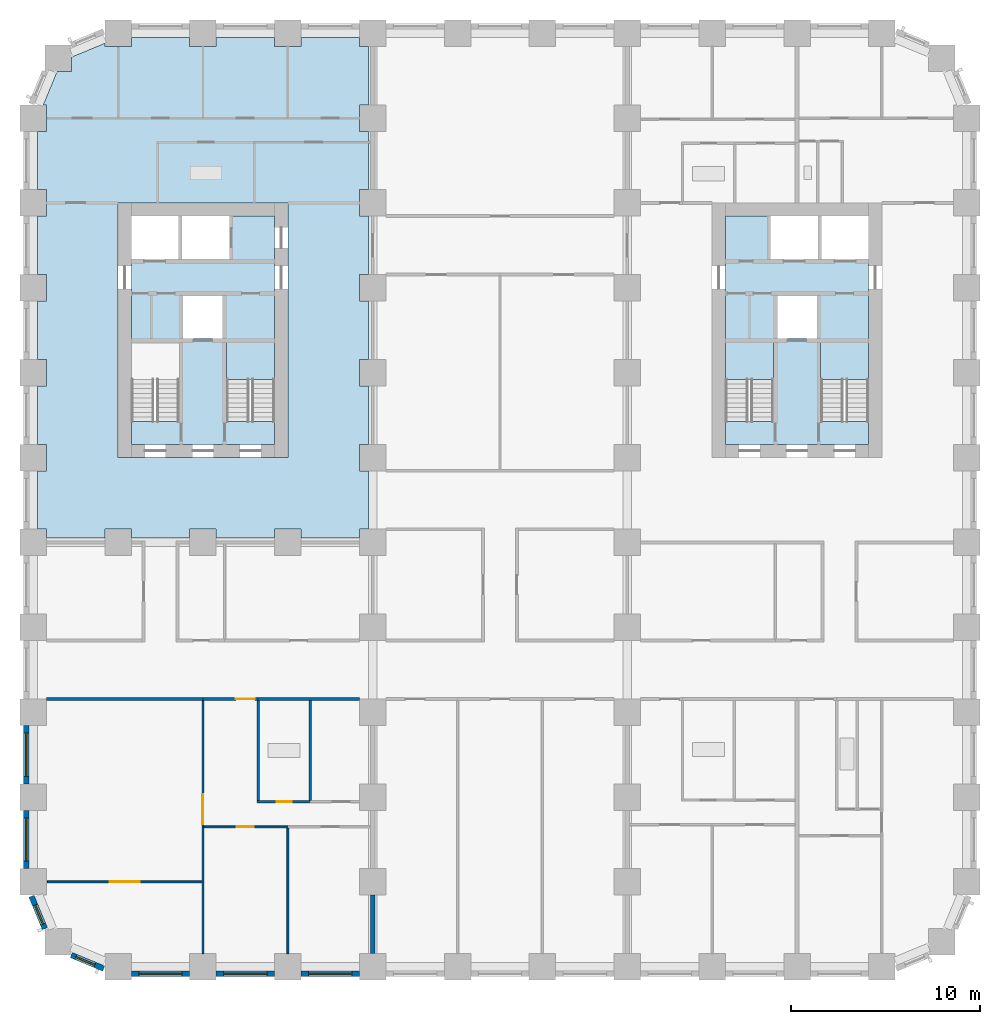
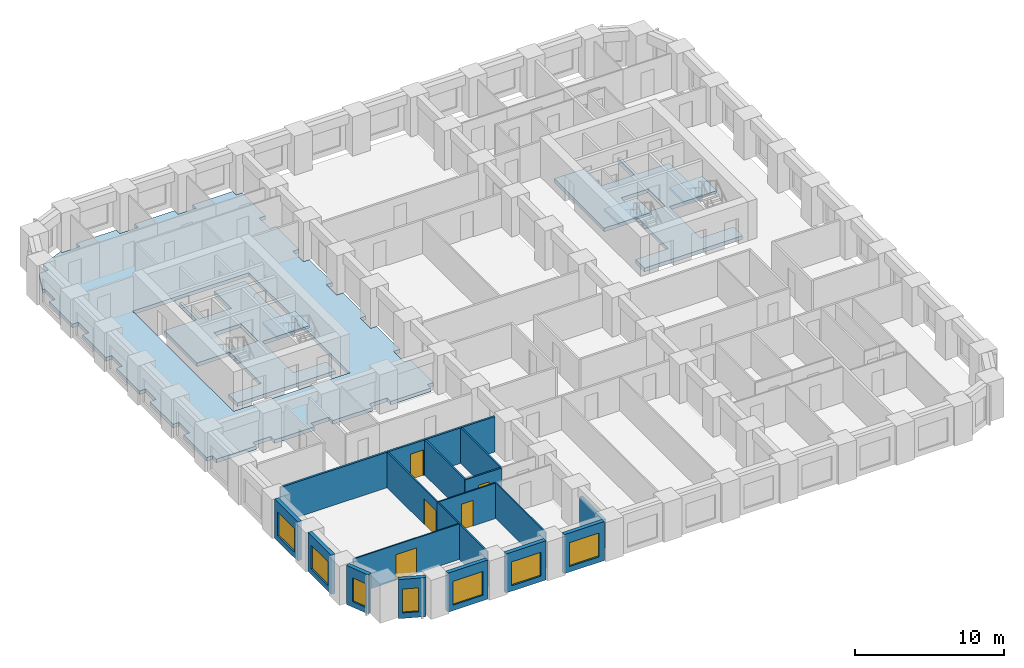
# One storey, part 2 of 12: 19 walls, 7 windows, 6 slabs, 5 doors, 12 openings, 3 elements without a shape of their own.
"""IFC4 building model written with IfcOpenShell, lengths in metres."""

from ifc_helpers import new_model, si_unit, direction, frame, frame_2d, origin, place, context, subcontext, project, spatial, polyline, rectangle, outline, extrude, material, layer, layer_set, type_object, element, fill, aggregate, save


model = new_model("IFC4")

# Units and contexts
model_context = context("Model", 3, precision=1e-05, world=origin(), true_north=direction((0.0, 1.0)))
body_context = subcontext(model_context, "Body", "Model", "MODEL_VIEW")
ifc_project = project(units=[si_unit("LENGTHUNIT", "METRE"), si_unit("AREAUNIT", "SQUARE_METRE"), si_unit("VOLUMEUNIT", "CUBIC_METRE"), si_unit("PLANEANGLEUNIT", "RADIAN"), si_unit("MASSUNIT", "GRAM", prefix="KILO")], contexts=[model_context])

# Site, building, storey
site_placement = place(None, origin())
site = spatial("IfcSite", under=ifc_project, at=site_placement, CompositionType="ELEMENT")
building_placement = place(site_placement, origin())
building = spatial("IfcBuilding", under=site, at=building_placement, Name="Girih Gate Residences", CompositionType="ELEMENT")
storey_placement = place(building_placement, frame((0.0, 0.0, 33.60009765625)))
storey = spatial("IfcBuildingStorey", under=building, at=storey_placement, Name="L07", CompositionType="ELEMENT", Elevation=33.60009765625)

# Slabs
ifc_material_1 = material(Name="Concrete C40/50", Category="concrete")
ifc_layer_1 = layer(ifc_material_1, 0.300048828125)
ifc_layer_set_1 = layer_set([ifc_layer_1], Name="Core floor slab 300")
slab_type_1 = type_object("IfcSlabType", Name="Core floor slab 300", PredefinedType="FLOOR", material=ifc_layer_set_1)
slab_1_placement = place(storey_placement, frame((0.0, 0.0, -0.300048828125)))
element("IfcSlab", 1, at=slab_1_placement, inside=storey, type_object=slab_type_1, Name="L07 W core floor", PredefinedType="FLOOR", context=body_context, shape_type="SweptSolid", body=[
    extrude(outline(polyline([(12.800048828125, 27.699951171875), (5.199951171875, 27.699951171875), (5.199951171875, 28.900634765625), (7.75, 28.900634765625), (7.75, 33.10009765625), (5.199951171875, 33.10009765625), (5.199951171875, 37.5), (7.699951171875, 37.5), (7.699951171875, 39.800048828125), (7.89990234375, 39.800048828125), (7.89990234375, 37.5), (10.39990234375, 37.5), (10.39990234375, 39.800048828125), (12.800048828125, 39.800048828125), (12.800048828125, 33.10009765625), (10.25, 33.10009765625), (10.25, 28.900634765625), (12.800048828125, 28.900634765625), (12.800048828125, 27.699951171875)]), holes=[polyline([(7.949951171875, 33.300048828125), (10.050048828125, 33.300048828125), (10.050048828125, 35.60009765625), (7.949951171875, 35.60009765625), (7.949951171875, 33.300048828125)])]), origin(), (0.0, 0.0, 1.0), 0.300048828125),
])
slab_2_placement = place(storey_placement, frame((0.0, 0.0, -0.300048828125)))
element("IfcSlab", 2, at=slab_2_placement, inside=storey, type_object=slab_type_1, Name="L07 E core floor", PredefinedType="FLOOR", context=body_context, shape_type="SweptSolid", body=[
    extrude(outline(polyline([(44.300048828125, 27.699951171875), (36.699951171875, 27.699951171875), (36.699951171875, 28.900634765625), (39.25, 28.900634765625), (39.25, 33.10009765625), (36.699951171875, 33.10009765625), (36.699951171875, 39.800048828125), (39.10009765625, 39.800048828125), (39.10009765625, 37.5), (41.60009765625, 37.5), (41.60009765625, 39.800048828125), (41.800048828125, 39.800048828125), (41.800048828125, 37.5), (44.300048828125, 37.5), (44.300048828125, 33.10009765625), (41.75, 33.10009765625), (41.75, 28.900634765625), (44.300048828125, 28.900634765625), (44.300048828125, 27.699951171875)]), holes=[polyline([(39.449951171875, 33.300048828125), (41.550048828125, 33.300048828125), (41.550048828125, 35.60009765625), (39.449951171875, 35.60009765625), (39.449951171875, 33.300048828125)])]), origin(), (0.0, 0.0, 1.0), 0.300048828125),
])
ifc_layer_2 = layer(ifc_material_1, 0.300048828125)
ifc_layer_set_2 = layer_set([ifc_layer_2], Name="Floor slab PT 300 Concrete C40/50")
slab_type_2 = type_object("IfcSlabType", Name="Floor slab PT 300 Concrete C40/50", PredefinedType="FLOOR", material=ifc_layer_set_2)
slab_3_placement = place(storey_placement, frame((0.0, 0.0, -0.300048828125)))
element("IfcSlab", 3, at=slab_3_placement, inside=storey, type_object=slab_type_2, Name="Floor slab L07 3", PredefinedType="FLOOR", context=body_context, shape_type="SweptSolid", body=[
    extrude(outline(polyline([(0.22509765625, 26.300048828125), (0.22509765625, 23.199951171875), (0.699951171875, 23.199951171875), (0.699951171875, 22.72509765625), (3.800048828125, 22.72509765625), (3.800048828125, 23.199951171875), (5.199951171875, 23.199951171875), (5.199951171875, 22.72509765625), (8.300048828125, 22.72509765625), (8.300048828125, 23.199951171875), (9.699951171875, 23.199951171875), (9.699951171875, 22.72509765625), (12.800048828125, 22.72509765625), (12.800048828125, 23.199951171875), (14.199951171875, 23.199951171875), (14.199951171875, 22.72509765625), (17.300048828125, 22.72509765625), (17.300048828125, 23.199951171875), (17.77490234375, 23.199951171875), (17.77490234375, 26.300048828125), (17.300048828125, 26.300048828125), (17.300048828125, 27.699951171875), (17.77490234375, 27.699951171875), (17.77490234375, 30.800048828125), (17.300048828125, 30.800048828125), (17.300048828125, 32.199951171875), (17.77490234375, 32.199951171875), (17.77490234375, 35.300048828125), (17.300048828125, 35.300048828125), (17.300048828125, 36.699951171875), (17.77490234375, 36.699951171875), (17.77490234375, 39.800048828125), (17.300048828125, 39.800048828125), (17.300048828125, 41.199951171875), (17.77490234375, 41.199951171875), (17.77490234375, 44.300048828125), (17.300048828125, 44.300048828125), (17.300048828125, 45.699951171875), (17.77490234375, 45.699951171875), (17.77490234375, 48.800048828125), (17.300048828125, 48.800048828125), (17.300048828125, 49.27490234375), (14.199951171875, 49.27490234375), (14.199951171875, 48.800048828125), (12.800048828125, 48.800048828125), (12.800048828125, 49.27490234375), (9.699951171875, 49.27490234375), (9.699951171875, 48.800048828125), (8.300048828125, 48.800048828125), (8.300048828125, 49.27490234375), (5.199951171875, 49.27490234375), (5.199951171875, 48.800048828125), (3.800048828125, 48.800048828125), (3.800048828125, 48.966552734375), (2.01806640625, 48.228271484375), (2.01806640625, 47.48193359375), (1.271728515625, 47.48193359375), (0.533447265625, 45.699951171875), (0.699951171875, 45.699951171875), (0.699951171875, 44.300048828125), (0.22509765625, 44.300048828125), (0.22509765625, 41.199951171875), (0.699951171875, 41.199951171875), (0.699951171875, 39.800048828125), (0.22509765625, 39.800048828125), (0.22509765625, 36.699951171875), (0.699951171875, 36.699951171875), (0.699951171875, 35.300048828125), (0.22509765625, 35.300048828125), (0.22509765625, 32.199951171875), (0.699951171875, 32.199951171875), (0.699951171875, 30.800048828125), (0.22509765625, 30.800048828125), (0.22509765625, 27.699951171875), (0.699951171875, 27.699951171875), (0.699951171875, 26.300048828125), (0.22509765625, 26.300048828125)]), holes=[polyline([(13.5, 40.5), (13.5, 27.0), (4.5, 27.0), (4.5, 40.5), (13.5, 40.5)])]), origin(), (0.0, 0.0, 1.0), 0.300048828125),
])

# Stair, slab
stair_type = type_object("IfcStairType", Name="Exit stair", PredefinedType="HALF_TURN_STAIR", material=ifc_material_1)
stair_1_placement = place(storey_placement, origin())
stair_1 = element("IfcStair", 4, at=stair_1_placement, inside=storey, type_object=stair_type, Name="L07 Exit Stair ST-W2", PredefinedType="HALF_TURN_STAIR")
ifc_layer_3 = layer(ifc_material_1, 0.199951171875)
ifc_layer_set_3 = layer_set([ifc_layer_3], Name="Stair landing 200")
slab_type_3 = type_object("IfcSlabType", Name="Stair landing 200", PredefinedType="LANDING", material=ifc_layer_set_3)
slab_4_placement = place(storey_placement, frame((0.0, 0.0, 1.39990234375)))
slab_4 = element("IfcSlab", 5, at=slab_4_placement, type_object=slab_type_3, Name="ST-W2 landing 1", PredefinedType="LANDING", context=body_context, shape_type="SweptSolid", body=[
    extrude(outline(polyline([(12.800048828125, 31.14990234375), (12.800048828125, 33.10009765625), (10.25, 33.10009765625), (10.25, 31.14990234375), (12.800048828125, 31.14990234375)])), origin(), (0.0, 0.0, 1.0), 0.199951171875),
])
aggregate(stair_1, [slab_4])

stair_2_placement = place(storey_placement, origin())
stair_2 = element("IfcStair", 6, at=stair_2_placement, inside=storey, type_object=stair_type, Name="L07 Exit Stair ST-E1", PredefinedType="HALF_TURN_STAIR")
slab_5_placement = place(storey_placement, frame((0.0, 0.0, 1.39990234375)))
slab_5 = element("IfcSlab", 7, at=slab_5_placement, type_object=slab_type_3, Name="ST-E1 landing 1", PredefinedType="LANDING", context=body_context, shape_type="SweptSolid", body=[
    extrude(outline(polyline([(44.300048828125, 31.14990234375), (44.300048828125, 33.10009765625), (41.75, 33.10009765625), (41.75, 31.14990234375), (44.300048828125, 31.14990234375)])), origin(), (0.0, 0.0, 1.0), 0.199951171875),
])
aggregate(stair_2, [slab_5])

stair_3_placement = place(storey_placement, origin())
stair_3 = element("IfcStair", 8, at=stair_3_placement, inside=storey, type_object=stair_type, Name="L07 Exit Stair ST-E2", PredefinedType="HALF_TURN_STAIR")
slab_6_placement = place(storey_placement, frame((0.0, 0.0, 1.39990234375)))
slab_6 = element("IfcSlab", 9, at=slab_6_placement, type_object=slab_type_3, Name="ST-E2 landing 1", PredefinedType="LANDING", context=body_context, shape_type="SweptSolid", body=[
    extrude(outline(polyline([(39.25, 31.14990234375), (39.25, 33.10009765625), (36.699951171875, 33.10009765625), (36.699951171875, 31.14990234375), (39.25, 31.14990234375)])), origin(), (0.0, 0.0, 1.0), 0.199951171875),
])
aggregate(stair_3, [slab_6])

# Walls
ifc_material_2 = material(Name="Gypsum board on steel studs", Category="steel")
ifc_layer_4 = layer(ifc_material_2, 0.25)
ifc_layer_set_4 = layer_set([ifc_layer_4], Name="Acoustic separating wall 250 mm")
wall_type_1 = type_object("IfcWallType", Name="Acoustic separating wall 250 mm", PredefinedType="PARTITIONING", material=ifc_layer_set_4)
wall_1_placement = place(storey_placement, frame((18.0, 0.699951171875, 0.0), z_axis=(0.0, 0.0, 1.0), x_axis=(0.0, 1.0, 0.0)))
element("IfcWall", 10, at=wall_1_placement, inside=storey, type_object=wall_type_1, Name="L07 partition", PredefinedType="PARTITIONING", context=body_context, shape_type="SweptSolid", body=[
    extrude(rectangle(XDim=3.10009765625, YDim=0.25, at=frame_2d((1.550048828125, 0.0))), origin(), (0.0, 0.0, 1.0), 2.3798828125),
])
ifc_layer_5 = layer(ifc_material_2, 0.14990234375)
ifc_layer_set_5 = layer_set([ifc_layer_5], Name="Compartment wall 150 mm")
wall_type_2 = type_object("IfcWallType", Name="Compartment wall 150 mm", PredefinedType="PARTITIONING", material=ifc_layer_set_5)
wall_2_placement = place(storey_placement, frame((11.925048828125, 14.199951171875, 0.0), z_axis=(0.0, 0.0, 1.0), x_axis=(1.0, 0.0, 0.0)))
element("IfcWall", 11, at=wall_2_placement, inside=storey, type_object=wall_type_2, Name="L07 partition", PredefinedType="PARTITIONING", context=body_context, shape_type="SweptSolid", body=[
    extrude(rectangle(XDim=5.375, YDim=0.14990234375, at=frame_2d((2.6875, 0.0))), origin(), (0.0, 0.0, 1.0), 2.89990234375),
])
wall_3_placement = place(storey_placement, frame((0.699951171875, 14.199951171875, 0.0), z_axis=(0.0, 0.0, 1.0), x_axis=(1.0, 0.0, 0.0)))
element("IfcWall", 12, at=wall_3_placement, inside=storey, type_object=wall_type_2, Name="L07 partition", PredefinedType="PARTITIONING", context=body_context, shape_type="SweptSolid", body=[
    extrude(rectangle(XDim=8.300048828125, YDim=0.14990234375, at=frame_2d((4.14990234375, 0.0))), origin(), (0.0, 0.0, 1.0), 2.89990234375),
])

# Wall, opening, door
wall_4_placement = place(storey_placement, frame((11.925048828125, 14.199951171875, 0.0), z_axis=(0.0, 0.0, 1.0), x_axis=(-1.0, 0.0, 0.0)))
wall_4 = element("IfcWall", 13, at=wall_4_placement, inside=storey, type_object=wall_type_2, Name="L07 partition", PredefinedType="PARTITIONING", context=body_context, shape_type="SweptSolid", body=[
    extrude(rectangle(XDim=2.925048828125, YDim=0.14990234375, at=frame_2d((1.46240234375, 0.0))), origin(), (0.0, 0.0, 1.0), 2.89990234375),
])
opening_1_placement = place(wall_4_placement, frame((0.175048828125, 0.0, 0.0)))
opening_1 = element("IfcOpeningElement", 14, at=opening_1_placement, cuts=wall_4, Name="Opening A07-007", PredefinedType="OPENING", context=body_context, shape_type="SweptSolid", body=[
    extrude(rectangle(XDim=1.0, YDim=2.10009765625, at=frame_2d((0.5, 1.050048828125))), frame((0.0, 0.0849609375, 0.0), z_axis=(0.0, -1.0, 0.0), x_axis=(1.0, 0.0, 0.0)), (0.0, 0.0, 1.0), 0.169921875),
])
ifc_material_3 = material(Name="Timber, fire-rated core", Category="wood")
door_type_1 = type_object("IfcDoorType", Name="Flat entrance door 1000x2100 FD30S", OperationType="NOTDEFINED", PredefinedType="DOOR", material=ifc_material_3)
door_1_placement = place(opening_1_placement, origin())
door_1 = element("IfcDoor", 15, at=door_1_placement, inside=storey, type_object=door_type_1, Name="Door A07-007", OperationType="SINGLE_SWING_LEFT", OverallHeight=2.10009765625, OverallWidth=1.0, PredefinedType="DOOR", context=body_context, shape_type="SweptSolid", body=[
    extrude(rectangle(XDim=1.0, YDim=2.10009765625, at=frame_2d((0.5, 1.050048828125))), frame((0.0, 0.02490234375, 0.0), z_axis=(0.0, -1.0, 0.0), x_axis=(1.0, 0.0, 0.0)), (0.0, 0.0, 1.0), 0.050048828125),
])
fill(opening_1, door_1)

# Wall
ifc_layer_6 = layer(ifc_material_2, 0.10009765625)
ifc_layer_set_6 = layer_set([ifc_layer_6], Name="Partition 100 mm")
wall_type_3 = type_object("IfcWallType", Name="Partition 100 mm", PredefinedType="PARTITIONING", material=ifc_layer_set_6)
wall_5_placement = place(storey_placement, frame((13.5, 0.699951171875, 0.0), z_axis=(0.0, 0.0, 1.0), x_axis=(0.0, 1.0, 0.0)))
element("IfcWall", 16, at=wall_5_placement, inside=storey, type_object=wall_type_3, Name="L07 partition", PredefinedType="PARTITIONING", context=body_context, shape_type="SweptSolid", body=[
    extrude(rectangle(XDim=6.670166015625, YDim=0.10009765625, at=frame_2d((3.3349609375, 0.0))), origin(), (0.0, 0.0, 1.0), 2.89990234375),
])

# Wall, opening, door
wall_6_placement = place(storey_placement, frame((13.5, 7.419921875, 0.0), z_axis=(0.0, 0.0, 1.0), x_axis=(-1.0, 0.0, 0.0)))
wall_6 = element("IfcWall", 17, at=wall_6_placement, inside=storey, type_object=wall_type_3, Name="L07 partition", PredefinedType="PARTITIONING", context=body_context, shape_type="SweptSolid", body=[
    extrude(rectangle(XDim=4.449951171875, YDim=0.10009765625, at=frame_2d((2.22509765625, 0.0))), origin(), (0.0, 0.0, 1.0), 2.89990234375),
])
opening_2_placement = place(wall_6_placement, frame((1.800048828125, 0.0, 0.0)))
opening_2 = element("IfcOpeningElement", 18, at=opening_2_placement, cuts=wall_6, Name="Opening A07-002", PredefinedType="OPENING", context=body_context, shape_type="SweptSolid", body=[
    extrude(rectangle(XDim=0.89990234375, YDim=2.10009765625, at=frame_2d((0.449951171875, 1.050048828125))), frame((0.0, 0.06005859375, 0.0), z_axis=(0.0, -1.0, 0.0), x_axis=(1.0, 0.0, 0.0)), (0.0, 0.0, 1.0), 0.1201171875),
])
ifc_material_4 = material(Name="Timber", Category="wood")
door_type_2 = type_object("IfcDoorType", Name="Bedroom door 900x2100", OperationType="NOTDEFINED", PredefinedType="DOOR", material=ifc_material_4)
door_2_placement = place(opening_2_placement, origin())
door_2 = element("IfcDoor", 19, at=door_2_placement, inside=storey, type_object=door_type_2, Name="Door A07-002", OperationType="SINGLE_SWING_RIGHT", OverallHeight=2.10009765625, OverallWidth=0.89990234375, PredefinedType="DOOR", context=body_context, shape_type="SweptSolid", body=[
    extrude(rectangle(XDim=0.89990234375, YDim=2.10009765625, at=frame_2d((0.449951171875, 1.050048828125))), frame((0.0, 0.02490234375, 0.0), z_axis=(0.0, -1.0, 0.0), x_axis=(1.0, 0.0, 0.0)), (0.0, 0.0, 1.0), 0.050048828125),
])
fill(opening_2, door_2)

# Wall
wall_7_placement = place(storey_placement, frame((9.0, 0.699951171875, 0.0), z_axis=(0.0, 0.0, 1.0), x_axis=(0.0, 1.0, 0.0)))
element("IfcWall", 20, at=wall_7_placement, inside=storey, type_object=wall_type_3, Name="L07 partition", PredefinedType="PARTITIONING", context=body_context, shape_type="SweptSolid", body=[
    extrude(rectangle(XDim=6.719970703125, YDim=0.10009765625, at=frame_2d((3.35986328125, 0.0))), origin(), (0.0, 0.0, 1.0), 2.89990234375),
])

# Wall, opening, door
wall_8_placement = place(storey_placement, frame((9.0, 7.419921875, 0.0), z_axis=(0.0, 0.0, 1.0), x_axis=(0.0, 1.0, 0.0)))
wall_8 = element("IfcWall", 21, at=wall_8_placement, inside=storey, type_object=wall_type_3, Name="L07 partition", PredefinedType="PARTITIONING", context=body_context, shape_type="SweptSolid", body=[
    extrude(rectangle(XDim=6.705078125, YDim=0.10009765625, at=frame_2d((3.3525390625, 0.0))), origin(), (0.0, 0.0, 1.0), 2.89990234375),
])
opening_3_placement = place(wall_8_placement, frame((0.1298828125, 0.0, 0.0)))
opening_3 = element("IfcOpeningElement", 22, at=opening_3_placement, cuts=wall_8, Name="Opening A07-004", PredefinedType="OPENING", context=body_context, shape_type="SweptSolid", body=[
    extrude(rectangle(XDim=1.60009765625, YDim=2.10009765625, at=frame_2d((0.800048828125, 1.050048828125))), frame((0.0, 0.06005859375, 0.0), z_axis=(0.0, -1.0, 0.0), x_axis=(1.0, 0.0, 0.0)), (0.0, 0.0, 1.0), 0.1201171875),
])
door_type_3 = type_object("IfcDoorType", Name="Double leaf door 1600x2100", OperationType="NOTDEFINED", PredefinedType="DOOR", material=ifc_material_4)
door_3_placement = place(opening_3_placement, origin())
door_3 = element("IfcDoor", 23, at=door_3_placement, inside=storey, type_object=door_type_3, Name="Door A07-004", OperationType="SINGLE_SWING_LEFT", OverallHeight=2.10009765625, OverallWidth=1.60009765625, PredefinedType="DOOR", context=body_context, shape_type="SweptSolid", body=[
    extrude(rectangle(XDim=1.60009765625, YDim=2.10009765625, at=frame_2d((0.800048828125, 1.050048828125))), frame((0.0, 0.02490234375, 0.0), z_axis=(0.0, -1.0, 0.0), x_axis=(1.0, 0.0, 0.0)), (0.0, 0.0, 1.0), 0.050048828125),
])
fill(opening_3, door_3)

wall_9_placement = place(storey_placement, frame((0.757568359375, 4.5, 0.0), z_axis=(0.0, 0.0, 1.0), x_axis=(1.0, 0.0, 0.0)))
wall_9 = element("IfcWall", 24, at=wall_9_placement, inside=storey, type_object=wall_type_3, Name="L07 partition", PredefinedType="PARTITIONING", context=body_context, shape_type="SweptSolid", body=[
    extrude(rectangle(XDim=8.1923828125, YDim=0.10009765625, at=frame_2d((4.09619140625, 0.0))), origin(), (0.0, 0.0, 1.0), 2.89990234375),
])
opening_4_placement = place(wall_9_placement, frame((3.292236328125, 0.0, 0.0)))
opening_4 = element("IfcOpeningElement", 25, at=opening_4_placement, cuts=wall_9, Name="Opening A07-005", PredefinedType="OPENING", context=body_context, shape_type="SweptSolid", body=[
    extrude(rectangle(XDim=1.60009765625, YDim=2.10009765625, at=frame_2d((0.800048828125, 1.050048828125))), frame((0.0, 0.06005859375, 0.0), z_axis=(0.0, -1.0, 0.0), x_axis=(1.0, 0.0, 0.0)), (0.0, 0.0, 1.0), 0.1201171875),
])
door_4_placement = place(opening_4_placement, origin())
door_4 = element("IfcDoor", 26, at=door_4_placement, inside=storey, type_object=door_type_3, Name="Door A07-005", OperationType="SINGLE_SWING_LEFT", OverallHeight=2.10009765625, OverallWidth=1.60009765625, PredefinedType="DOOR", context=body_context, shape_type="SweptSolid", body=[
    extrude(rectangle(XDim=1.60009765625, YDim=2.10009765625, at=frame_2d((0.800048828125, 1.050048828125))), frame((0.0, 0.02490234375, 0.0), z_axis=(0.0, -1.0, 0.0), x_axis=(1.0, 0.0, 0.0)), (0.0, 0.0, 1.0), 0.050048828125),
])
fill(opening_4, door_4)

# Wall, opening, window
ifc_material_5 = material(Name="Precast concrete C50/60", Category="concrete")
ifc_layer_7 = layer(ifc_material_5, 0.080078125, Name="Outer leaf")
ifc_material_6 = material(Name="Rigid PIR insulation")
ifc_layer_8 = layer(ifc_material_6, 0.14990234375, Name="Insulation")
ifc_material_7 = material(Name="Precast concrete C40/50", Category="concrete")
ifc_layer_9 = layer(ifc_material_7, 0.070068359375, Name="Inner leaf")
ifc_layer_set_7 = layer_set([ifc_layer_7, ifc_layer_8, ifc_layer_9], Name="Precast concrete C50/60 external wall 300")
wall_type_4 = type_object("IfcWallType", Name="Precast concrete C50/60 external wall 300", PredefinedType="SOLIDWALL", material=ifc_layer_set_7)
wall_10_placement = place(storey_placement, frame((0.62158203125, 2.01953125, 0.0), z_axis=(0.0, 0.0, 1.0), x_axis=(-0.38262540684, 0.923903565336, 0.0)))
wall_10 = element("IfcWall", 27, at=wall_10_placement, inside=storey, type_object=wall_type_4, Name="External wall SW0000_0045.0", PredefinedType="SOLIDWALL", context=body_context, shape_type="SweptSolid", body=[
    extrude(rectangle(XDim=1.864990234375, YDim=0.300048828125, at=frame_2d((0.9326171875, 0.0))), origin(), (0.0, 0.0, 1.0), 3.199951171875),
])
opening_5_placement = place(wall_10_placement, frame((0.257568359375, 0.0, 0.449951171875)))
opening_5 = element("IfcOpeningElement", 28, at=opening_5_placement, cuts=wall_10, Name="Opening W-2C", PredefinedType="OPENING", context=body_context, shape_type="SweptSolid", body=[
    extrude(rectangle(XDim=1.10009765625, YDim=1.949951171875, at=frame_2d((0.550048828125, 0.97509765625))), frame((0.0, 0.159912109375, 0.0), z_axis=(0.0, -1.0, 0.0), x_axis=(1.0, 0.0, 0.0)), (0.0, 0.0, 1.0), 0.320068359375),
])
ifc_material_8 = material(Name="Double glazing in aluminium frame", Category="aluminium")
window_type_1 = type_object("IfcWindowType", Name="Window W-2C 1100x1950", PartitioningType="SINGLE_PANEL", PredefinedType="WINDOW", material=ifc_material_8)
window_1_placement = place(opening_5_placement, origin())
window_1 = element("IfcWindow", 29, at=window_1_placement, inside=storey, type_object=window_type_1, Name="Window W-2C SW0000_0045.0", OverallHeight=1.949951171875, OverallWidth=1.10009765625, PartitioningType="SINGLE_PANEL", PredefinedType="WINDOW", context=body_context, shape_type="SweptSolid", body=[
    extrude(rectangle(XDim=1.10009765625, YDim=1.949951171875, at=frame_2d((0.550048828125, 0.97509765625))), frame((0.0, 0.030029296875, 0.0), z_axis=(0.0, -1.0, 0.0), x_axis=(1.0, 0.0, 0.0)), (0.0, 0.0, 1.0), 0.06005859375),
])
fill(opening_5, window_1)

wall_11_placement = place(storey_placement, frame((3.74267578125, -0.09228515625, 0.0), z_axis=(0.0, 0.0, 1.0), x_axis=(-0.923857286003, 0.382737135771, 0.0)))
wall_11 = element("IfcWall", 30, at=wall_11_placement, inside=storey, type_object=wall_type_4, Name="External wall SW0013_0013.0", PredefinedType="SOLIDWALL", context=body_context, shape_type="SweptSolid", body=[
    extrude(rectangle(XDim=1.865234375, YDim=0.300048828125, at=frame_2d((0.9326171875, 0.0))), origin(), (0.0, 0.0, 1.0), 3.199951171875),
])
opening_6_placement = place(wall_11_placement, frame((0.507568359375, 0.0, 0.449951171875)))
opening_6 = element("IfcOpeningElement", 31, at=opening_6_placement, cuts=wall_11, Name="Opening W-2C", PredefinedType="OPENING", context=body_context, shape_type="SweptSolid", body=[
    extrude(rectangle(XDim=1.10009765625, YDim=1.949951171875, at=frame_2d((0.550048828125, 0.97509765625))), frame((0.0, 0.159912109375, 0.0), z_axis=(0.0, -1.0, 0.0), x_axis=(1.0, 0.0, 0.0)), (0.0, 0.0, 1.0), 0.320068359375),
])
window_2_placement = place(opening_6_placement, origin())
window_2 = element("IfcWindow", 32, at=window_2_placement, inside=storey, type_object=window_type_1, Name="Window W-2C SW0013_0013.0", OverallHeight=1.949951171875, OverallWidth=1.10009765625, PartitioningType="SINGLE_PANEL", PredefinedType="WINDOW", context=body_context, shape_type="SweptSolid", body=[
    extrude(rectangle(XDim=1.10009765625, YDim=1.949951171875, at=frame_2d((0.550048828125, 0.97509765625))), frame((0.0, 0.030029296875, 0.0), z_axis=(0.0, -1.0, 0.0), x_axis=(1.0, 0.0, 0.0)), (0.0, 0.0, 1.0), 0.06005859375),
])
fill(opening_6, window_2)

wall_12_placement = place(storey_placement, frame((8.300048828125, -0.375, 0.0), z_axis=(0.0, 0.0, 1.0), x_axis=(-1.0, 0.0, 0.0)))
wall_12 = element("IfcWall", 33, at=wall_12_placement, inside=storey, type_object=wall_type_4, Name="External wall S0045_0000.0", PredefinedType="SOLIDWALL", context=body_context, shape_type="SweptSolid", body=[
    extrude(rectangle(XDim=3.10009765625, YDim=0.300048828125, at=frame_2d((1.550048828125, 0.0))), origin(), (0.0, 0.0, 1.0), 3.199951171875),
])
opening_7_placement = place(wall_12_placement, frame((0.39990234375, 0.0, 0.449951171875)))
opening_7 = element("IfcOpeningElement", 34, at=opening_7_placement, cuts=wall_12, Name="Opening W-1", PredefinedType="OPENING", context=body_context, shape_type="SweptSolid", body=[
    extrude(rectangle(XDim=2.300048828125, YDim=1.949951171875, at=frame_2d((1.14990234375, 0.97509765625))), frame((0.0, 0.159912109375, 0.0), z_axis=(0.0, -1.0, 0.0), x_axis=(1.0, 0.0, 0.0)), (0.0, 0.0, 1.0), 0.320068359375),
])
window_type_2 = type_object("IfcWindowType", Name="Window W-1 2300x1950", PartitioningType="SINGLE_PANEL", PredefinedType="WINDOW", material=ifc_material_8)
window_3_placement = place(opening_7_placement, origin())
window_3 = element("IfcWindow", 35, at=window_3_placement, inside=storey, type_object=window_type_2, Name="Window W-1 S0045_0000.0", OverallHeight=1.949951171875, OverallWidth=2.300048828125, PartitioningType="SINGLE_PANEL", PredefinedType="WINDOW", context=body_context, shape_type="SweptSolid", body=[
    extrude(rectangle(XDim=2.300048828125, YDim=1.949951171875, at=frame_2d((1.14990234375, 0.97509765625))), frame((0.0, 0.030029296875, 0.0), z_axis=(0.0, -1.0, 0.0), x_axis=(1.0, 0.0, 0.0)), (0.0, 0.0, 1.0), 0.06005859375),
])
fill(opening_7, window_3)

wall_13_placement = place(storey_placement, frame((12.800048828125, -0.375, 0.0), z_axis=(0.0, 0.0, 1.0), x_axis=(-1.0, 0.0, 0.0)))
wall_13 = element("IfcWall", 36, at=wall_13_placement, inside=storey, type_object=wall_type_4, Name="External wall S0045_0000.1", PredefinedType="SOLIDWALL", context=body_context, shape_type="SweptSolid", body=[
    extrude(rectangle(XDim=3.10009765625, YDim=0.300048828125, at=frame_2d((1.550048828125, 0.0))), origin(), (0.0, 0.0, 1.0), 3.199951171875),
])
opening_8_placement = place(wall_13_placement, frame((0.39990234375, 0.0, 0.449951171875)))
opening_8 = element("IfcOpeningElement", 37, at=opening_8_placement, cuts=wall_13, Name="Opening W-1", PredefinedType="OPENING", context=body_context, shape_type="SweptSolid", body=[
    extrude(rectangle(XDim=2.300048828125, YDim=1.949951171875, at=frame_2d((1.14990234375, 0.97509765625))), frame((0.0, 0.159912109375, 0.0), z_axis=(0.0, -1.0, 0.0), x_axis=(1.0, 0.0, 0.0)), (0.0, 0.0, 1.0), 0.320068359375),
])
window_4_placement = place(opening_8_placement, origin())
window_4 = element("IfcWindow", 38, at=window_4_placement, inside=storey, type_object=window_type_2, Name="Window W-1 S0045_0000.1", OverallHeight=1.949951171875, OverallWidth=2.300048828125, PartitioningType="SINGLE_PANEL", PredefinedType="WINDOW", context=body_context, shape_type="SweptSolid", body=[
    extrude(rectangle(XDim=2.300048828125, YDim=1.949951171875, at=frame_2d((1.14990234375, 0.97509765625))), frame((0.0, 0.030029296875, 0.0), z_axis=(0.0, -1.0, 0.0), x_axis=(1.0, 0.0, 0.0)), (0.0, 0.0, 1.0), 0.06005859375),
])
fill(opening_8, window_4)

wall_14_placement = place(storey_placement, frame((17.300048828125, -0.375, 0.0), z_axis=(0.0, 0.0, 1.0), x_axis=(-1.0, 0.0, 0.0)))
wall_14 = element("IfcWall", 39, at=wall_14_placement, inside=storey, type_object=wall_type_4, Name="External wall S0045_0000.2", PredefinedType="SOLIDWALL", context=body_context, shape_type="SweptSolid", body=[
    extrude(rectangle(XDim=3.10009765625, YDim=0.300048828125, at=frame_2d((1.550048828125, 0.0))), origin(), (0.0, 0.0, 1.0), 3.199951171875),
])
opening_9_placement = place(wall_14_placement, frame((0.39990234375, 0.0, 0.449951171875)))
opening_9 = element("IfcOpeningElement", 40, at=opening_9_placement, cuts=wall_14, Name="Opening W-1", PredefinedType="OPENING", context=body_context, shape_type="SweptSolid", body=[
    extrude(rectangle(XDim=2.300048828125, YDim=1.949951171875, at=frame_2d((1.14990234375, 0.97509765625))), frame((0.0, 0.159912109375, 0.0), z_axis=(0.0, -1.0, 0.0), x_axis=(1.0, 0.0, 0.0)), (0.0, 0.0, 1.0), 0.320068359375),
])
window_5_placement = place(opening_9_placement, origin())
window_5 = element("IfcWindow", 41, at=window_5_placement, inside=storey, type_object=window_type_2, Name="Window W-1 S0045_0000.2", OverallHeight=1.949951171875, OverallWidth=2.300048828125, PartitioningType="SINGLE_PANEL", PredefinedType="WINDOW", context=body_context, shape_type="SweptSolid", body=[
    extrude(rectangle(XDim=2.300048828125, YDim=1.949951171875, at=frame_2d((1.14990234375, 0.97509765625))), frame((0.0, 0.030029296875, 0.0), z_axis=(0.0, -1.0, 0.0), x_axis=(1.0, 0.0, 0.0)), (0.0, 0.0, 1.0), 0.06005859375),
])
fill(opening_9, window_5)

wall_15_placement = place(storey_placement, frame((-0.375, 9.699951171875, 0.0), z_axis=(0.0, 0.0, 1.0), x_axis=(0.0, 1.0, 0.0)))
wall_15 = element("IfcWall", 42, at=wall_15_placement, inside=storey, type_object=wall_type_4, Name="External wall W0000_0450.7", PredefinedType="SOLIDWALL", context=body_context, shape_type="SweptSolid", body=[
    extrude(rectangle(XDim=3.10009765625, YDim=0.300048828125, at=frame_2d((1.550048828125, 0.0))), origin(), (0.0, 0.0, 1.0), 3.199951171875),
])
opening_10_placement = place(wall_15_placement, frame((0.39990234375, 0.0, 0.449951171875)))
opening_10 = element("IfcOpeningElement", 43, at=opening_10_placement, cuts=wall_15, Name="Opening W-1", PredefinedType="OPENING", context=body_context, shape_type="SweptSolid", body=[
    extrude(rectangle(XDim=2.300048828125, YDim=1.949951171875, at=frame_2d((1.14990234375, 0.97509765625))), frame((0.0, 0.159912109375, 0.0), z_axis=(0.0, -1.0, 0.0), x_axis=(1.0, 0.0, 0.0)), (0.0, 0.0, 1.0), 0.320068359375),
])
window_6_placement = place(opening_10_placement, origin())
window_6 = element("IfcWindow", 44, at=window_6_placement, inside=storey, type_object=window_type_2, Name="Window W-1 W0000_0450.7", OverallHeight=1.949951171875, OverallWidth=2.300048828125, PartitioningType="SINGLE_PANEL", PredefinedType="WINDOW", context=body_context, shape_type="SweptSolid", body=[
    extrude(rectangle(XDim=2.300048828125, YDim=1.949951171875, at=frame_2d((1.14990234375, 0.97509765625))), frame((0.0, 0.030029296875, 0.0), z_axis=(0.0, -1.0, 0.0), x_axis=(1.0, 0.0, 0.0)), (0.0, 0.0, 1.0), 0.06005859375),
])
fill(opening_10, window_6)

wall_16_placement = place(storey_placement, frame((-0.375, 5.199951171875, 0.0), z_axis=(0.0, 0.0, 1.0), x_axis=(0.0, 1.0, 0.0)))
wall_16 = element("IfcWall", 45, at=wall_16_placement, inside=storey, type_object=wall_type_4, Name="External wall W0000_0450.8", PredefinedType="SOLIDWALL", context=body_context, shape_type="SweptSolid", body=[
    extrude(rectangle(XDim=3.10009765625, YDim=0.300048828125, at=frame_2d((1.550048828125, 0.0))), origin(), (0.0, 0.0, 1.0), 3.199951171875),
])
opening_11_placement = place(wall_16_placement, frame((0.39990234375, 0.0, 0.449951171875)))
opening_11 = element("IfcOpeningElement", 46, at=opening_11_placement, cuts=wall_16, Name="Opening W-1", PredefinedType="OPENING", context=body_context, shape_type="SweptSolid", body=[
    extrude(rectangle(XDim=2.300048828125, YDim=1.949951171875, at=frame_2d((1.14990234375, 0.97509765625))), frame((0.0, 0.159912109375, 0.0), z_axis=(0.0, -1.0, 0.0), x_axis=(1.0, 0.0, 0.0)), (0.0, 0.0, 1.0), 0.320068359375),
])
window_7_placement = place(opening_11_placement, origin())
window_7 = element("IfcWindow", 47, at=window_7_placement, inside=storey, type_object=window_type_2, Name="Window W-1 W0000_0450.8", OverallHeight=1.949951171875, OverallWidth=2.300048828125, PartitioningType="SINGLE_PANEL", PredefinedType="WINDOW", context=body_context, shape_type="SweptSolid", body=[
    extrude(rectangle(XDim=2.300048828125, YDim=1.949951171875, at=frame_2d((1.14990234375, 0.97509765625))), frame((0.0, 0.030029296875, 0.0), z_axis=(0.0, -1.0, 0.0), x_axis=(1.0, 0.0, 0.0)), (0.0, 0.0, 1.0), 0.06005859375),
])
fill(opening_11, window_7)

# Wall, opening, door
ifc_layer_10 = layer(ifc_material_2, 0.125)
ifc_layer_set_8 = layer_set([ifc_layer_10], Name="Wet room wall 125 mm")
wall_type_5 = type_object("IfcWallType", Name="Wet room wall 125 mm", PredefinedType="PARTITIONING", material=ifc_layer_set_8)
wall_17_placement = place(storey_placement, frame((11.862548828125, 8.760009765625, 0.0), z_axis=(0.0, 0.0, 1.0), x_axis=(1.0, 0.0, 0.0)))
wall_17 = element("IfcWall", 48, at=wall_17_placement, inside=storey, type_object=wall_type_5, Name="L07 partition", PredefinedType="PARTITIONING", context=body_context, shape_type="SweptSolid", body=[
    extrude(rectangle(XDim=2.827880859375, YDim=0.125, at=frame_2d((1.4140625, 0.0))), origin(), (0.0, 0.0, 1.0), 2.89990234375),
])
opening_12_placement = place(wall_17_placement, frame((1.04541015625, 0.0, 0.0)))
opening_12 = element("IfcOpeningElement", 49, at=opening_12_placement, cuts=wall_17, Name="Opening A07-001", PredefinedType="OPENING", context=body_context, shape_type="SweptSolid", body=[
    extrude(rectangle(XDim=0.800048828125, YDim=2.10009765625, at=frame_2d((0.39990234375, 1.050048828125))), frame((0.0, 0.072509765625, 0.0), z_axis=(0.0, -1.0, 0.0), x_axis=(1.0, 0.0, 0.0)), (0.0, 0.0, 1.0), 0.14501953125),
])
door_type_4 = type_object("IfcDoorType", Name="Bathroom door 800x2100", OperationType="NOTDEFINED", PredefinedType="DOOR", material=ifc_material_4)
door_5_placement = place(opening_12_placement, origin())
door_5 = element("IfcDoor", 50, at=door_5_placement, inside=storey, type_object=door_type_4, Name="Door A07-001", OperationType="SINGLE_SWING_RIGHT", OverallHeight=2.10009765625, OverallWidth=0.800048828125, PredefinedType="DOOR", context=body_context, shape_type="SweptSolid", body=[
    extrude(rectangle(XDim=0.800048828125, YDim=2.10009765625, at=frame_2d((0.39990234375, 1.050048828125))), frame((0.0, 0.02490234375, 0.0), z_axis=(0.0, -1.0, 0.0), x_axis=(1.0, 0.0, 0.0)), (0.0, 0.0, 1.0), 0.050048828125),
])
fill(opening_12, door_5)

# Walls
for number, where, z_axis, x_axis, name in (
    (51, (11.925048828125, 8.822509765625, 0.0), (0.0, 0.0, 1.0), (0.0, 1.0, 0.0), "L07 partition"),
    (52, (14.69091796875, 8.822509765625, 0.0), (0.0, 0.0, 1.0), (0.0, 1.0, 0.0), "L07 partition"),
):
    element("IfcWall", number, at=place(storey_placement, frame(where, z_axis=z_axis, x_axis=x_axis)), inside=storey, type_object=wall_type_5, Name=name, PredefinedType="PARTITIONING", context=body_context, shape_type="SweptSolid", body=[
        extrude(rectangle(XDim=5.302490234375, YDim=0.125, at=frame_2d((2.6513671875, 0.0))), origin(), (0.0, 0.0, 1.0), 2.89990234375),
    ])

save(model, "model.ifc")
